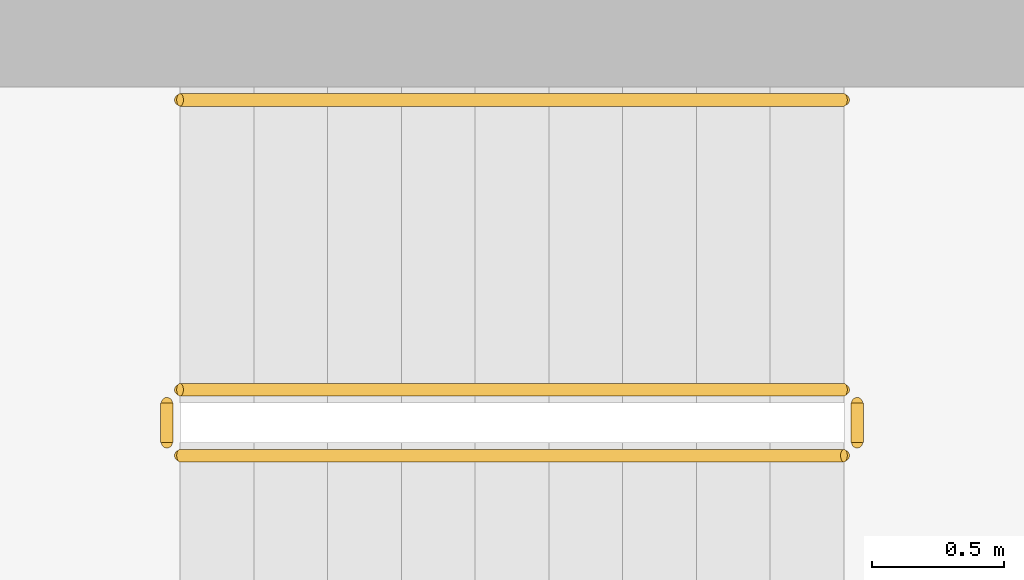
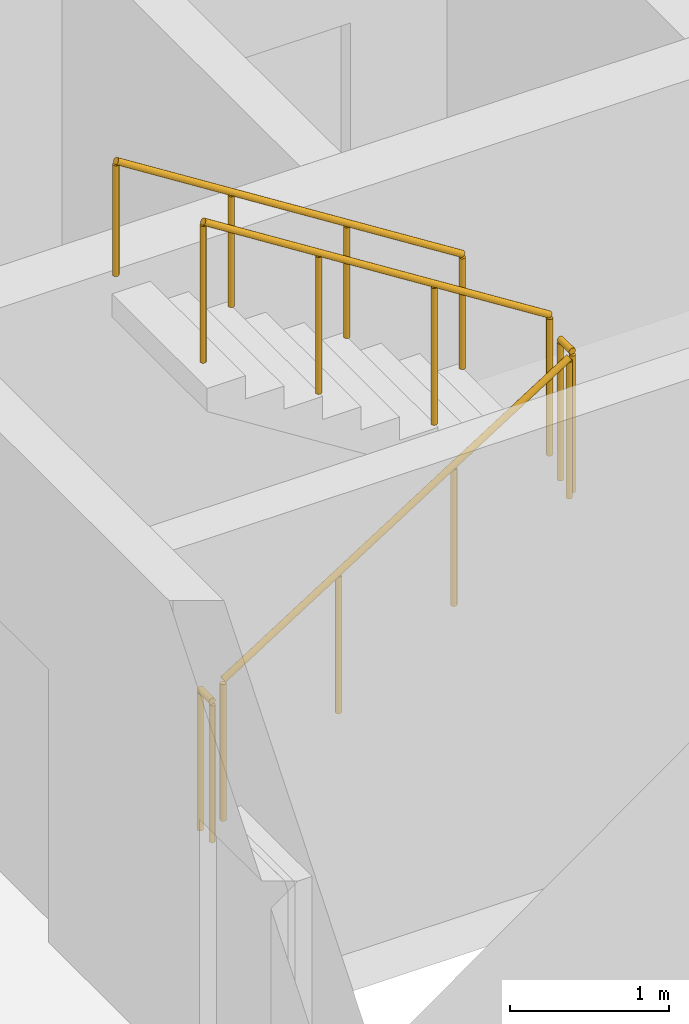
# One storey, part 15 of 17: 5 railings.
"""IFC4 building model written with IfcOpenShell, lengths in metres."""

from ifc_helpers import new_model, si_unit, direction, frame, origin, origin_2d, place, context, subcontext, project, spatial, circle, extrude, material, type_object, element, save


model = new_model("IFC4")

# Units and contexts
model_context = context("Model", 3, precision=1e-05, world=origin(), true_north=direction((0.0, 1.0)))
body_context = subcontext(model_context, "Body", "Model", "MODEL_VIEW")
ifc_project = project(units=[si_unit("LENGTHUNIT", "METRE"), si_unit("AREAUNIT", "SQUARE_METRE"), si_unit("VOLUMEUNIT", "CUBIC_METRE"), si_unit("PLANEANGLEUNIT", "RADIAN"), si_unit("MASSUNIT", "GRAM", prefix="KILO")], contexts=[model_context])

# Site, building, storey
site_placement = place(None, origin())
site = spatial("IfcSite", under=ifc_project, at=site_placement, CompositionType="ELEMENT")
building_placement = place(site_placement, origin())
building = spatial("IfcBuilding", under=site, at=building_placement, Name="Ostrand Prow Hotel Tower", CompositionType="ELEMENT")
storey_placement = place(building_placement, frame((0.0, 0.0, 155.050048828125)))
storey = spatial("IfcBuildingStorey", under=building, at=storey_placement, Name="L38", CompositionType="ELEMENT", Elevation=155.050048828125)

# Railings
ifc_material_1 = material(Name="Painted steel", Category="steel")
railing_type_1 = type_object("IfcRailingType", Name="Stair guard 1100", PredefinedType="GUARDRAIL", material=ifc_material_1)
railing_1_placement = place(storey_placement, frame((57.199951171875, -11.75, 0.177490234375)))
element("IfcRailing", 1, at=railing_1_placement, inside=storey, type_object=railing_type_1, Name="L38 ST2C stair guard 1", PredefinedType="GUARDRAIL", context=body_context, shape_type="SweptSolid", body=[
    extrude(circle(Radius=0.02392578125, at=origin_2d()), frame((0.0, 0.0, 1.076171875), z_axis=(0.84460694969, 0.0, 0.535386869969), x_axis=(0.0, 1.0, 0.0)), (0.0, 0.0, 1.0), 2.983642578125),
    extrude(circle(Radius=0.02099609375, at=origin_2d()), origin(), (0.0, 0.0, 1.0), 1.052001953125),
    extrude(circle(Radius=0.02099609375, at=origin_2d()), frame((0.840087890625, 0.0, 0.532470703125)), (0.0, 0.0, 1.0), 1.052001953125),
    extrude(circle(Radius=0.02099609375, at=origin_2d()), frame((1.679931640625, 0.0, 1.06494140625)), (0.0, 0.0, 1.0), 1.052001953125),
    extrude(circle(Radius=0.02099609375, at=origin_2d()), frame((2.52001953125, 0.0, 1.597412109375)), (0.0, 0.0, 1.0), 1.052001953125),
])
railing_2_placement = place(storey_placement, frame((59.77001953125, -11.699951171875, 1.77490234375)))
element("IfcRailing", 2, at=railing_2_placement, inside=storey, type_object=railing_type_1, Name="L38 ST2C stair guard 2", PredefinedType="GUARDRAIL", context=body_context, shape_type="SweptSolid", body=[
    extrude(circle(Radius=0.02392578125, at=origin_2d()), frame((0.0, 0.0, 1.076171875), z_axis=(0.0, 1.0, 0.0), x_axis=(-1.0, 0.0, 0.0)), (0.0, 0.0, 1.0), 0.14990234375),
    extrude(circle(Radius=0.02099609375, at=origin_2d()), origin(), (0.0, 0.0, 1.0), 1.052001953125),
    extrude(circle(Radius=0.02099609375, at=origin_2d()), frame((0.0, 0.14990234375, 0.0)), (0.0, 0.0, 1.0), 1.052001953125),
])
railing_3_placement = place(storey_placement, frame((59.719970703125, -11.5, 1.952392578125)))
element("IfcRailing", 3, at=railing_3_placement, inside=storey, type_object=railing_type_1, Name="L38 ST2C stair guard 3", PredefinedType="GUARDRAIL", context=body_context, shape_type="SweptSolid", body=[
    extrude(circle(Radius=0.02392578125, at=origin_2d()), frame((0.0, 0.0, 1.076171875), z_axis=(-0.84456994832, 0.0, 0.535445237532), x_axis=(0.0, -1.0, 0.0)), (0.0, 0.0, 1.0), 2.98388671875),
    extrude(circle(Radius=0.02099609375, at=origin_2d()), origin(), (0.0, 0.0, 1.0), 1.052001953125),
    extrude(circle(Radius=0.02099609375, at=origin_2d()), frame((-0.840087890625, 0.0, 0.532470703125)), (0.0, 0.0, 1.0), 1.052001953125),
    extrude(circle(Radius=0.02099609375, at=origin_2d()), frame((-1.679931640625, 0.0, 1.065185546875)), (0.0, 0.0, 1.0), 1.052001953125),
    extrude(circle(Radius=0.02099609375, at=origin_2d()), frame((-2.52001953125, 0.0, 1.59765625)), (0.0, 0.0, 1.0), 1.052001953125),
])
railing_4_placement = place(storey_placement, frame((57.14990234375, -11.699951171875, 0.0)))
element("IfcRailing", 4, at=railing_4_placement, inside=storey, type_object=railing_type_1, Name="L38 ST2C stair guard 4", PredefinedType="GUARDRAIL", context=body_context, shape_type="SweptSolid", body=[
    extrude(circle(Radius=0.02392578125, at=origin_2d()), frame((0.0, 0.0, 1.076171875), z_axis=(0.0, 1.0, 0.0), x_axis=(-1.0, 0.0, 0.0)), (0.0, 0.0, 1.0), 0.14990234375),
    extrude(circle(Radius=0.02099609375, at=origin_2d()), origin(), (0.0, 0.0, 1.0), 1.052001953125),
    extrude(circle(Radius=0.02099609375, at=origin_2d()), frame((0.0, 0.14990234375, 0.0)), (0.0, 0.0, 1.0), 1.052001953125),
])
ifc_material_2 = material(Name="Stainless steel", Category="steel")
railing_type_2 = type_object("IfcRailingType", Name="Stair handrail 900", PredefinedType="HANDRAIL", material=ifc_material_2)
railing_5_placement = place(storey_placement, frame((59.719970703125, -10.39990234375, 1.952392578125)))
element("IfcRailing", 5, at=railing_5_placement, inside=storey, type_object=railing_type_2, Name="L38 ST2C stair handrail 2", PredefinedType="HANDRAIL", context=body_context, shape_type="SweptSolid", body=[
    extrude(circle(Radius=0.02392578125, at=origin_2d()), frame((0.0, 0.0, 0.8759765625), z_axis=(-0.84456994832, 0.0, 0.535445237532), x_axis=(0.0, -1.0, 0.0)), (0.0, 0.0, 1.0), 2.98388671875),
    extrude(circle(Radius=0.02099609375, at=origin_2d()), origin(), (0.0, 0.0, 1.0), 0.851806640625),
    extrude(circle(Radius=0.02099609375, at=origin_2d()), frame((-0.840087890625, 0.0, 0.532470703125)), (0.0, 0.0, 1.0), 0.851806640625),
    extrude(circle(Radius=0.02099609375, at=origin_2d()), frame((-1.679931640625, 0.0, 1.065185546875)), (0.0, 0.0, 1.0), 0.851806640625),
    extrude(circle(Radius=0.02099609375, at=origin_2d()), frame((-2.52001953125, 0.0, 1.59765625)), (0.0, 0.0, 1.0), 0.851806640625),
])

save(model, "model.ifc")
